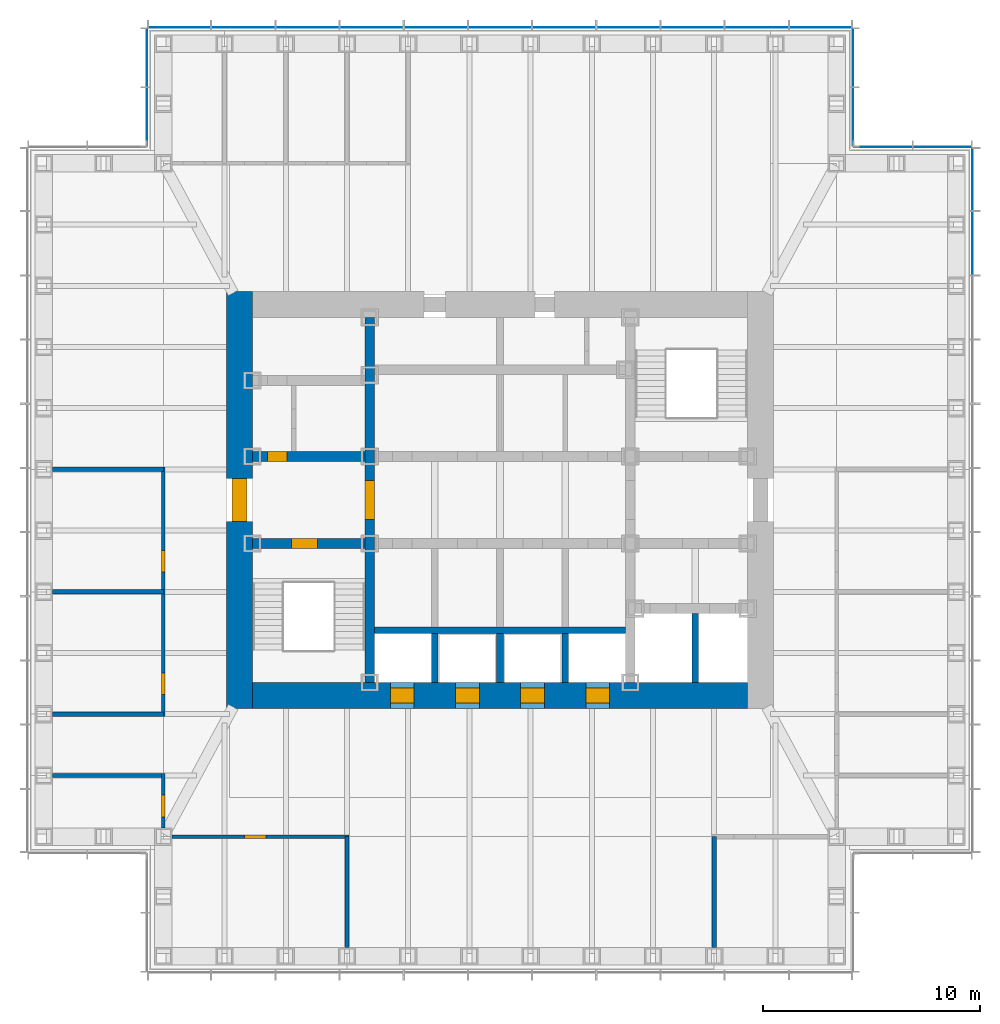
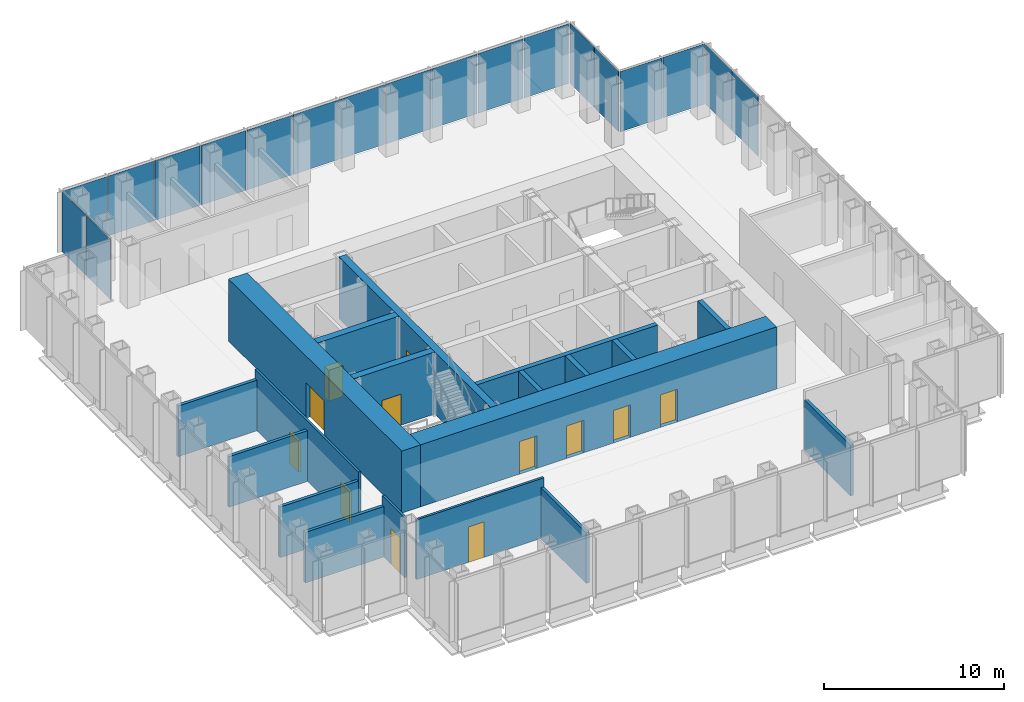
# One storey, part 8 of 16: 19 plates, 19 walls, 12 doors, 12 openings, 5 elements without a shape of their own.
"""IFC4 building model written with IfcOpenShell, lengths in metres."""

from ifc_helpers import new_model, si_unit, direction, frame, frame_2d, origin, origin_2d, place, context, subcontext, project, spatial, rectangle, extrude, material, layer, layer_set, type_object, element, fill, aggregate, save


model = new_model("IFC4")

# Units and contexts
model_context = context("Model", 3, precision=1e-05, world=origin(), true_north=direction((0.0, 1.0)))
body_context = subcontext(model_context, "Body", "Model", "MODEL_VIEW")
ifc_project = project(units=[si_unit("LENGTHUNIT", "METRE"), si_unit("AREAUNIT", "SQUARE_METRE"), si_unit("VOLUMEUNIT", "CUBIC_METRE"), si_unit("PLANEANGLEUNIT", "RADIAN"), si_unit("MASSUNIT", "GRAM", prefix="KILO")], contexts=[model_context])

# Site, building, storey
site_placement = place(None, origin())
site = spatial("IfcSite", under=ifc_project, at=site_placement, CompositionType="ELEMENT")
building_placement = place(site_placement, origin())
building = spatial("IfcBuilding", under=site, at=building_placement, Name="Daluyong Arena Tower", CompositionType="ELEMENT")
storey_placement = place(building_placement, frame((0.0, 0.0, 231.699951171875)))
storey = spatial("IfcBuildingStorey", under=building, at=storey_placement, Name="L52", CompositionType="ELEMENT", Elevation=231.699951171875)

# Curtain wall, plates
ifc_material_1 = material(Name="Bronze anodised aluminium and glass", Category="aluminium")
curtain_wall_type_1 = type_object("IfcCurtainWallType", Name="Curtain wall CW3", PredefinedType="USERDEFINED", material=ifc_material_1)
curtain_wall_1_placement = place(storey_placement, origin())
curtain_wall_1 = element("IfcCurtainWall", 1, at=curtain_wall_1_placement, inside=storey, type_object=curtain_wall_type_1, Name="curtain wall L52 E", ObjectType="UNITISED CURTAIN WALL", PredefinedType="USERDEFINED")
ifc_material_2 = material(Name="Tinted double glazed unit", Category="glass")
ifc_layer_1 = layer(ifc_material_2, 0.030029296875)
ifc_layer_set_1 = layer_set([ifc_layer_1], Name="Tinted double glazed unit")
plate_type_1 = type_object("IfcPlateType", Name="CW3 panel 30", PredefinedType="CURTAIN_PANEL", material=ifc_layer_set_1)
plate_1_placement = place(storey_placement, frame((77.75, 91.818115234375, 0.0), z_axis=(0.0, 0.0, 1.0), x_axis=(0.0, 1.0, 0.0)))
plate_1 = element("IfcPlate", 2, at=plate_1_placement, type_object=plate_type_1, Name="curtain wall L52 E panel 10", PredefinedType="CURTAIN_PANEL", context=body_context, shape_type="SweptSolid", body=[
    extrude(rectangle(XDim=2.884521484375, YDim=0.030029296875, at=origin_2d()), origin(), (0.0, 0.0, 1.0), 4.0400390625),
])
plate_2_placement = place(storey_placement, frame((77.75, 94.755126953125, 0.0), z_axis=(0.0, 0.0, 1.0), x_axis=(0.0, 1.0, 0.0)))
plate_2 = element("IfcPlate", 3, at=plate_2_placement, type_object=plate_type_1, Name="curtain wall L52 E panel 11", PredefinedType="CURTAIN_PANEL", context=body_context, shape_type="SweptSolid", body=[
    extrude(rectangle(XDim=2.849609375, YDim=0.030029296875, at=origin_2d()), origin(), (0.0, 0.0, 1.0), 4.0400390625),
])
aggregate(curtain_wall_1, [plate_1, plate_2])

curtain_wall_2_placement = place(storey_placement, origin())
curtain_wall_2 = element("IfcCurtainWall", 4, at=curtain_wall_2_placement, inside=storey, type_object=curtain_wall_type_1, Name="curtain wall L52 N", ObjectType="UNITISED CURTAIN WALL", PredefinedType="USERDEFINED")
plate_3_placement = place(storey_placement, frame((70.755126953125, 101.75, 0.0), z_axis=(0.0, 0.0, 1.0), x_axis=(-1.0, 0.0, 0.0)))
plate_3 = element("IfcPlate", 5, at=plate_3_placement, type_object=plate_type_1, Name="curtain wall L52 N panel 1", PredefinedType="CURTAIN_PANEL", context=body_context, shape_type="SweptSolid", body=[
    extrude(rectangle(XDim=2.849609375, YDim=0.030029296875, at=origin_2d()), origin(), (0.0, 0.0, 1.0), 4.0400390625),
])
plate_4_placement = place(storey_placement, frame((67.818115234375, 101.75, 0.0), z_axis=(0.0, 0.0, 1.0), x_axis=(-1.0, 0.0, 0.0)))
plate_4 = element("IfcPlate", 6, at=plate_4_placement, type_object=plate_type_1, Name="curtain wall L52 N panel 2", PredefinedType="CURTAIN_PANEL", context=body_context, shape_type="SweptSolid", body=[
    extrude(rectangle(XDim=2.884521484375, YDim=0.030029296875, at=origin_2d()), origin(), (0.0, 0.0, 1.0), 4.0400390625),
])
plate_5_placement = place(storey_placement, frame((64.863525390625, 101.75, 0.0), z_axis=(0.0, 0.0, 1.0), x_axis=(-1.0, 0.0, 0.0)))
plate_5 = element("IfcPlate", 7, at=plate_5_placement, type_object=plate_type_1, Name="curtain wall L52 N panel 3", PredefinedType="CURTAIN_PANEL", context=body_context, shape_type="SweptSolid", body=[
    extrude(rectangle(XDim=2.884521484375, YDim=0.030029296875, at=origin_2d()), origin(), (0.0, 0.0, 1.0), 4.0400390625),
])
plate_6_placement = place(storey_placement, frame((61.9091796875, 101.75, 0.0), z_axis=(0.0, 0.0, 1.0), x_axis=(-1.0, 0.0, 0.0)))
plate_6 = element("IfcPlate", 8, at=plate_6_placement, type_object=plate_type_1, Name="curtain wall L52 N panel 4", PredefinedType="CURTAIN_PANEL", context=body_context, shape_type="SweptSolid", body=[
    extrude(rectangle(XDim=2.884521484375, YDim=0.030029296875, at=origin_2d()), origin(), (0.0, 0.0, 1.0), 4.0400390625),
])
plate_7_placement = place(storey_placement, frame((58.95458984375, 101.75, 0.0), z_axis=(0.0, 0.0, 1.0), x_axis=(-1.0, 0.0, 0.0)))
plate_7 = element("IfcPlate", 9, at=plate_7_placement, type_object=plate_type_1, Name="curtain wall L52 N panel 5", PredefinedType="CURTAIN_PANEL", context=body_context, shape_type="SweptSolid", body=[
    extrude(rectangle(XDim=2.884521484375, YDim=0.030029296875, at=origin_2d()), origin(), (0.0, 0.0, 1.0), 4.0400390625),
])
plate_8_placement = place(storey_placement, frame((56.0, 101.75, 0.0), z_axis=(0.0, 0.0, 1.0), x_axis=(-1.0, 0.0, 0.0)))
plate_8 = element("IfcPlate", 10, at=plate_8_placement, type_object=plate_type_1, Name="curtain wall L52 N panel 6", PredefinedType="CURTAIN_PANEL", context=body_context, shape_type="SweptSolid", body=[
    extrude(rectangle(XDim=2.884521484375, YDim=0.030029296875, at=origin_2d()), origin(), (0.0, 0.0, 1.0), 4.0400390625),
])
plate_9_placement = place(storey_placement, frame((53.04541015625, 101.75, 0.0), z_axis=(0.0, 0.0, 1.0), x_axis=(-1.0, 0.0, 0.0)))
plate_9 = element("IfcPlate", 11, at=plate_9_placement, type_object=plate_type_1, Name="curtain wall L52 N panel 7", PredefinedType="CURTAIN_PANEL", context=body_context, shape_type="SweptSolid", body=[
    extrude(rectangle(XDim=2.884521484375, YDim=0.030029296875, at=origin_2d()), origin(), (0.0, 0.0, 1.0), 4.0400390625),
])
plate_10_placement = place(storey_placement, frame((50.0908203125, 101.75, 0.0), z_axis=(0.0, 0.0, 1.0), x_axis=(-1.0, 0.0, 0.0)))
plate_10 = element("IfcPlate", 12, at=plate_10_placement, type_object=plate_type_1, Name="curtain wall L52 N panel 8", PredefinedType="CURTAIN_PANEL", context=body_context, shape_type="SweptSolid", body=[
    extrude(rectangle(XDim=2.884521484375, YDim=0.030029296875, at=origin_2d()), origin(), (0.0, 0.0, 1.0), 4.0400390625),
])
plate_11_placement = place(storey_placement, frame((47.136474609375, 101.75, 0.0), z_axis=(0.0, 0.0, 1.0), x_axis=(-1.0, 0.0, 0.0)))
plate_11 = element("IfcPlate", 13, at=plate_11_placement, type_object=plate_type_1, Name="curtain wall L52 N panel 9", PredefinedType="CURTAIN_PANEL", context=body_context, shape_type="SweptSolid", body=[
    extrude(rectangle(XDim=2.884521484375, YDim=0.030029296875, at=origin_2d()), origin(), (0.0, 0.0, 1.0), 4.0400390625),
])
plate_12_placement = place(storey_placement, frame((44.181884765625, 101.75, 0.0), z_axis=(0.0, 0.0, 1.0), x_axis=(-1.0, 0.0, 0.0)))
plate_12 = element("IfcPlate", 14, at=plate_12_placement, type_object=plate_type_1, Name="curtain wall L52 N panel 10", PredefinedType="CURTAIN_PANEL", context=body_context, shape_type="SweptSolid", body=[
    extrude(rectangle(XDim=2.884521484375, YDim=0.030029296875, at=origin_2d()), origin(), (0.0, 0.0, 1.0), 4.0400390625),
])
plate_13_placement = place(storey_placement, frame((41.244873046875, 101.75, 0.0), z_axis=(0.0, 0.0, 1.0), x_axis=(-1.0, 0.0, 0.0)))
plate_13 = element("IfcPlate", 15, at=plate_13_placement, type_object=plate_type_1, Name="curtain wall L52 N panel 11", PredefinedType="CURTAIN_PANEL", context=body_context, shape_type="SweptSolid", body=[
    extrude(rectangle(XDim=2.849609375, YDim=0.030029296875, at=origin_2d()), origin(), (0.0, 0.0, 1.0), 4.0400390625),
])
aggregate(curtain_wall_2, [plate_3, plate_4, plate_5, plate_6, plate_7, plate_8, plate_9, plate_10, plate_11, plate_12, plate_13])

ifc_material_3 = material(Name="Bronze anodised aluminium and glass", Category="aluminium")
curtain_wall_type_2 = type_object("IfcCurtainWallType", Name="Curtain wall CW7", PredefinedType="USERDEFINED", material=ifc_material_3)
curtain_wall_3_placement = place(storey_placement, origin())
curtain_wall_3 = element("IfcCurtainWall", 16, at=curtain_wall_3_placement, inside=storey, type_object=curtain_wall_type_2, Name="curtain wall L52 NE-N", ObjectType="UNITISED CURTAIN WALL", PredefinedType="USERDEFINED")
ifc_material_4 = material(Name="Tinted double glazed unit", Category="glass")
ifc_layer_2 = layer(ifc_material_4, 0.028076171875)
ifc_layer_set_2 = layer_set([ifc_layer_2], Name="Tinted double glazed unit")
plate_type_2 = type_object("IfcPlateType", Name="CW7 panel 28", PredefinedType="CURTAIN_PANEL", material=ifc_layer_set_2)
plate_14_placement = place(storey_placement, frame((76.360107421875, 96.25, 0.0), z_axis=(0.0, 0.0, 1.0), x_axis=(-1.0, 0.0, 0.0)))
plate_14 = element("IfcPlate", 17, at=plate_14_placement, type_object=plate_type_2, Name="curtain wall L52 NE-N panel 1", PredefinedType="CURTAIN_PANEL", context=body_context, shape_type="SweptSolid", body=[
    extrude(rectangle(XDim=2.659912109375, YDim=0.028076171875, at=origin_2d()), origin(), (0.0, 0.0, 1.0), 4.080078125),
])
plate_15_placement = place(storey_placement, frame((73.639892578125, 96.25, 0.0), z_axis=(0.0, 0.0, 1.0), x_axis=(-1.0, 0.0, 0.0)))
plate_15 = element("IfcPlate", 18, at=plate_15_placement, type_object=plate_type_2, Name="curtain wall L52 NE-N panel 2", PredefinedType="CURTAIN_PANEL", context=body_context, shape_type="SweptSolid", body=[
    extrude(rectangle(XDim=2.659912109375, YDim=0.028076171875, at=origin_2d()), origin(), (0.0, 0.0, 1.0), 4.080078125),
])
aggregate(curtain_wall_3, [plate_14, plate_15])

curtain_wall_4_placement = place(storey_placement, origin())
curtain_wall_4 = element("IfcCurtainWall", 19, at=curtain_wall_4_placement, inside=storey, type_object=curtain_wall_type_2, Name="curtain wall L52 NE-E", ObjectType="UNITISED CURTAIN WALL", PredefinedType="USERDEFINED")
plate_16_placement = place(storey_placement, frame((72.25, 97.639892578125, 0.0), z_axis=(0.0, 0.0, 1.0), x_axis=(0.0, 1.0, 0.0)))
plate_16 = element("IfcPlate", 20, at=plate_16_placement, type_object=plate_type_2, Name="curtain wall L52 NE-E panel 1", PredefinedType="CURTAIN_PANEL", context=body_context, shape_type="SweptSolid", body=[
    extrude(rectangle(XDim=2.659912109375, YDim=0.028076171875, at=origin_2d()), origin(), (0.0, 0.0, 1.0), 4.080078125),
])
plate_17_placement = place(storey_placement, frame((72.25, 100.360107421875, 0.0), z_axis=(0.0, 0.0, 1.0), x_axis=(0.0, 1.0, 0.0)))
plate_17 = element("IfcPlate", 21, at=plate_17_placement, type_object=plate_type_2, Name="curtain wall L52 NE-E panel 2", PredefinedType="CURTAIN_PANEL", context=body_context, shape_type="SweptSolid", body=[
    extrude(rectangle(XDim=2.659912109375, YDim=0.028076171875, at=origin_2d()), origin(), (0.0, 0.0, 1.0), 4.080078125),
])
aggregate(curtain_wall_4, [plate_16, plate_17])

curtain_wall_5_placement = place(storey_placement, origin())
curtain_wall_5 = element("IfcCurtainWall", 22, at=curtain_wall_5_placement, inside=storey, type_object=curtain_wall_type_2, Name="curtain wall L52 NW-W", ObjectType="UNITISED CURTAIN WALL", PredefinedType="USERDEFINED")
plate_18_placement = place(storey_placement, frame((39.75, 100.360107421875, 0.0), z_axis=(0.0, 0.0, 1.0), x_axis=(0.0, -1.0, 0.0)))
plate_18 = element("IfcPlate", 23, at=plate_18_placement, type_object=plate_type_2, Name="curtain wall L52 NW-W panel 1", PredefinedType="CURTAIN_PANEL", context=body_context, shape_type="SweptSolid", body=[
    extrude(rectangle(XDim=2.659912109375, YDim=0.028076171875, at=origin_2d()), origin(), (0.0, 0.0, 1.0), 4.080078125),
])
plate_19_placement = place(storey_placement, frame((39.75, 97.639892578125, 0.0), z_axis=(0.0, 0.0, 1.0), x_axis=(0.0, -1.0, 0.0)))
plate_19 = element("IfcPlate", 24, at=plate_19_placement, type_object=plate_type_2, Name="curtain wall L52 NW-W panel 2", PredefinedType="CURTAIN_PANEL", context=body_context, shape_type="SweptSolid", body=[
    extrude(rectangle(XDim=2.659912109375, YDim=0.028076171875, at=origin_2d()), origin(), (0.0, 0.0, 1.0), 4.080078125),
])
aggregate(curtain_wall_5, [plate_18, plate_19])

# Wall, opening, door
ifc_material_5 = material(Name="Concrete fc' 45 MPa", Category="concrete")
ifc_layer_3 = layer(ifc_material_5, 0.449951171875)
ifc_layer_set_3 = layer_set([ifc_layer_3], Name="Concrete fc' 45 MPa")
wall_type_1 = type_object("IfcWallType", Name="Core inner wall 450", PredefinedType="SHEAR", material=ifc_layer_set_3)
wall_1_placement = place(storey_placement, frame((50.0, 71.60009765625, 0.0), z_axis=(0.0, 0.0, 1.0), x_axis=(0.0, 1.0, 0.0)))
wall_1 = element("IfcWall", 25, at=wall_1_placement, inside=storey, type_object=wall_type_1, Name="core inner wall at L52", PredefinedType="SHEAR", context=body_context, shape_type="SweptSolid", body=[
    extrude(rectangle(XDim=16.7998046875, YDim=0.449951171875, at=frame_2d((8.39990234375, 0.0))), origin(), (0.0, 0.0, 1.0), 4.199951171875),
])
opening_1_placement = place(wall_1_placement, frame((7.5, 0.0, 0.0)))
opening_1 = element("IfcOpeningElement", 26, at=opening_1_placement, cuts=wall_1, Name="Opening 52019", PredefinedType="OPENING", context=body_context, shape_type="SweptSolid", body=[
    extrude(rectangle(XDim=1.800048828125, YDim=2.39990234375, at=frame_2d((0.89990234375, 1.199951171875))), frame((0.0, 0.23486328125, 0.0), z_axis=(0.0, -1.0, 0.0), x_axis=(1.0, 0.0, 0.0)), (0.0, 0.0, 1.0), 0.469970703125),
])
ifc_material_6 = material(Name="Steel door, fire rated", Category="steel")
door_type_1 = type_object("IfcDoorType", Name="Lift lobby opening door 1800", OperationType="DOUBLE_DOOR_SINGLE_SWING", PredefinedType="DOOR", material=ifc_material_6)
door_1_placement = place(opening_1_placement, origin())
door_1 = element("IfcDoor", 27, at=door_1_placement, inside=storey, type_object=door_type_1, Name="lift lobby door west 52019", OperationType="DOUBLE_DOOR_SINGLE_SWING", OverallHeight=2.39990234375, OverallWidth=1.800048828125, PredefinedType="DOOR", context=body_context, shape_type="SweptSolid", body=[
    extrude(rectangle(XDim=1.800048828125, YDim=2.39990234375, at=frame_2d((0.89990234375, 1.199951171875))), frame((0.0, 0.224609375, 0.0), z_axis=(0.0, -1.0, 0.0), x_axis=(1.0, 0.0, 0.0)), (0.0, 0.0, 1.0), 0.449462890625),
])
fill(opening_1, door_1)

wall_2_placement = place(storey_placement, frame((44.60009765625, 78.0, 0.0), z_axis=(0.0, 0.0, 1.0), x_axis=(1.0, 0.0, 0.0)))
wall_2 = element("IfcWall", 28, at=wall_2_placement, inside=storey, type_object=wall_type_1, Name="core inner wall at L52", PredefinedType="SHEAR", context=body_context, shape_type="SweptSolid", body=[
    extrude(rectangle(XDim=5.1748046875, YDim=0.449951171875, at=frame_2d((2.58740234375, 0.0))), origin(), (0.0, 0.0, 1.0), 4.199951171875),
])
opening_2_placement = place(wall_2_placement, frame((1.800048828125, 0.0, 0.0)))
opening_2 = element("IfcOpeningElement", 29, at=opening_2_placement, cuts=wall_2, Name="Opening 52015", PredefinedType="OPENING", context=body_context, shape_type="SweptSolid", body=[
    extrude(rectangle(XDim=1.199951171875, YDim=2.10009765625, at=frame_2d((0.60009765625, 1.050048828125))), frame((0.0, 0.23486328125, 0.0), z_axis=(0.0, -1.0, 0.0), x_axis=(1.0, 0.0, 0.0)), (0.0, 0.0, 1.0), 0.469970703125),
])
ifc_material_7 = material(Name="Steel door, fire rated", Category="steel")
door_type_2 = type_object("IfcDoorType", Name="Stair door 1200", OperationType="SINGLE_SWING_LEFT", PredefinedType="DOOR", material=ifc_material_7)
door_2_placement = place(opening_2_placement, origin())
door_2 = element("IfcDoor", 30, at=door_2_placement, inside=storey, type_object=door_type_2, Name="stair A door 52015", OperationType="SINGLE_SWING_LEFT", OverallHeight=2.10009765625, OverallWidth=1.199951171875, PredefinedType="DOOR", context=body_context, shape_type="SweptSolid", body=[
    extrude(rectangle(XDim=1.199951171875, YDim=2.10009765625, at=frame_2d((0.60009765625, 1.050048828125))), frame((0.0, 0.224609375, 0.0), z_axis=(0.0, -1.0, 0.0), x_axis=(1.0, 0.0, 0.0)), (0.0, 0.0, 1.0), 0.449462890625),
])
fill(opening_2, door_2)

wall_3_placement = place(storey_placement, frame((44.60009765625, 82.0, 0.0), z_axis=(0.0, 0.0, 1.0), x_axis=(1.0, 0.0, 0.0)))
wall_3 = element("IfcWall", 31, at=wall_3_placement, inside=storey, type_object=wall_type_1, Name="core inner wall at L52", PredefinedType="SHEAR", context=body_context, shape_type="SweptSolid", body=[
    extrude(rectangle(XDim=5.1748046875, YDim=0.449951171875, at=frame_2d((2.58740234375, 0.0))), origin(), (0.0, 0.0, 1.0), 4.199951171875),
])
opening_3_placement = place(wall_3_placement, frame((0.699951171875, 0.0, 0.0)))
opening_3 = element("IfcOpeningElement", 32, at=opening_3_placement, cuts=wall_3, Name="Opening 52001", PredefinedType="OPENING", context=body_context, shape_type="SweptSolid", body=[
    extrude(rectangle(XDim=0.89990234375, YDim=2.10009765625, at=frame_2d((0.449951171875, 1.050048828125))), frame((0.0, 0.23486328125, 0.0), z_axis=(0.0, -1.0, 0.0), x_axis=(1.0, 0.0, 0.0)), (0.0, 0.0, 1.0), 0.469970703125),
])
ifc_material_8 = material(Name="Steel door, fire rated", Category="steel")
door_type_3 = type_object("IfcDoorType", Name="Core room door 900", OperationType="SINGLE_SWING_LEFT", PredefinedType="DOOR", material=ifc_material_8)
door_3_placement = place(opening_3_placement, origin())
door_3 = element("IfcDoor", 33, at=door_3_placement, inside=storey, type_object=door_type_3, Name="toilet lobby door 52001", OperationType="SINGLE_SWING_LEFT", OverallHeight=2.10009765625, OverallWidth=0.89990234375, PredefinedType="DOOR", context=body_context, shape_type="SweptSolid", body=[
    extrude(rectangle(XDim=0.89990234375, YDim=2.10009765625, at=frame_2d((0.449951171875, 1.050048828125))), frame((0.0, 0.224609375, 0.0), z_axis=(0.0, -1.0, 0.0), x_axis=(1.0, 0.0, 0.0)), (0.0, 0.0, 1.0), 0.449462890625),
])
fill(opening_3, door_3)

ifc_material_9 = material(Name="Concrete fc' 60 MPa", Category="concrete")
ifc_layer_4 = layer(ifc_material_9, 1.199951171875)
ifc_layer_set_4 = layer_set([ifc_layer_4], Name="Concrete fc' 60 MPa")
wall_type_2 = type_object("IfcWallType", Name="Core wall 1200", PredefinedType="SHEAR", material=ifc_layer_set_4)
wall_4_placement = place(storey_placement, frame((44.0, 70.39990234375, 0.0), z_axis=(0.0, 0.0, 1.0), x_axis=(0.0, 1.0, 0.0)))
wall_4 = element("IfcWall", 34, at=wall_4_placement, inside=storey, type_object=wall_type_2, Name="core wall at L52", PredefinedType="SHEAR", context=body_context, shape_type="SweptSolid", body=[
    extrude(rectangle(XDim=19.2001953125, YDim=1.199951171875, at=frame_2d((9.60009765625, 0.0))), origin(), (0.0, 0.0, 1.0), 4.199951171875),
])
opening_4_placement = place(wall_4_placement, frame((8.60009765625, 0.0, 0.0)))
opening_4 = element("IfcOpeningElement", 35, at=opening_4_placement, cuts=wall_4, Name="Opening 52017", PredefinedType="OPENING", context=body_context, shape_type="SweptSolid", body=[
    extrude(rectangle(XDim=2.0, YDim=2.39990234375, at=frame_2d((1.0, 1.199951171875))), frame((0.0, 0.60986328125, 0.0), z_axis=(0.0, -1.0, 0.0), x_axis=(1.0, 0.0, 0.0)), (0.0, 0.0, 1.0), 1.219970703125),
])
ifc_material_10 = material(Name="Steel door, fire rated", Category="steel")
door_type_4 = type_object("IfcDoorType", Name="Core lobby double door 2000", OperationType="DOUBLE_DOOR_SINGLE_SWING", PredefinedType="DOOR", material=ifc_material_10)
door_4_placement = place(opening_4_placement, origin())
door_4 = element("IfcDoor", 36, at=door_4_placement, inside=storey, type_object=door_type_4, Name="core lobby door west 52017", OperationType="DOUBLE_DOOR_SINGLE_SWING", OverallHeight=2.39990234375, OverallWidth=2.0, PredefinedType="DOOR", context=body_context, shape_type="SweptSolid", body=[
    extrude(rectangle(XDim=2.0, YDim=2.39990234375, at=frame_2d((1.0, 1.199951171875))), frame((0.0, 0.35009765625, 0.0), z_axis=(0.0, -1.0, 0.0), x_axis=(1.0, 0.0, 0.0)), (0.0, 0.0, 1.0), 0.699951171875),
])
fill(opening_4, door_4)

# Wall, openings, doors
wall_5_placement = place(storey_placement, frame((44.60009765625, 71.0, 0.0), z_axis=(0.0, 0.0, 1.0), x_axis=(1.0, 0.0, 0.0)))
wall_5 = element("IfcWall", 37, at=wall_5_placement, inside=storey, type_object=wall_type_2, Name="core wall at L52", PredefinedType="SHEAR", context=body_context, shape_type="SweptSolid", body=[
    extrude(rectangle(XDim=22.7998046875, YDim=1.199951171875, at=frame_2d((11.39990234375, 0.0))), origin(), (0.0, 0.0, 1.0), 4.199951171875),
])
opening_5_placement = place(wall_5_placement, frame((6.35009765625, 0.0, 0.0)))
opening_5 = element("IfcOpeningElement", 38, at=opening_5_placement, cuts=wall_5, Name="Opening 52022", PredefinedType="OPENING", context=body_context, shape_type="SweptSolid", body=[
    extrude(rectangle(XDim=1.10009765625, YDim=2.199951171875, at=frame_2d((0.550048828125, 1.10009765625))), frame((0.0, 0.60986328125, 0.0), z_axis=(0.0, -1.0, 0.0), x_axis=(1.0, 0.0, 0.0)), (0.0, 0.0, 1.0), 1.219970703125),
])
opening_6_placement = place(wall_5_placement, frame((9.35009765625, 0.0, 0.0)))
opening_6 = element("IfcOpeningElement", 39, at=opening_6_placement, cuts=wall_5, Name="Opening 52023", PredefinedType="OPENING", context=body_context, shape_type="SweptSolid", body=[
    extrude(rectangle(XDim=1.10009765625, YDim=2.199951171875, at=frame_2d((0.550048828125, 1.10009765625))), frame((0.0, 0.60986328125, 0.0), z_axis=(0.0, -1.0, 0.0), x_axis=(1.0, 0.0, 0.0)), (0.0, 0.0, 1.0), 1.219970703125),
])
opening_7_placement = place(wall_5_placement, frame((12.35009765625, 0.0, 0.0)))
opening_7 = element("IfcOpeningElement", 40, at=opening_7_placement, cuts=wall_5, Name="Opening 52024", PredefinedType="OPENING", context=body_context, shape_type="SweptSolid", body=[
    extrude(rectangle(XDim=1.10009765625, YDim=2.199951171875, at=frame_2d((0.550048828125, 1.10009765625))), frame((0.0, 0.60986328125, 0.0), z_axis=(0.0, -1.0, 0.0), x_axis=(1.0, 0.0, 0.0)), (0.0, 0.0, 1.0), 1.219970703125),
])
opening_8_placement = place(wall_5_placement, frame((15.35009765625, 0.0, 0.0)))
opening_8 = element("IfcOpeningElement", 41, at=opening_8_placement, cuts=wall_5, Name="Opening 52025", PredefinedType="OPENING", context=body_context, shape_type="SweptSolid", body=[
    extrude(rectangle(XDim=1.10009765625, YDim=2.199951171875, at=frame_2d((0.550048828125, 1.10009765625))), frame((0.0, 0.60986328125, 0.0), z_axis=(0.0, -1.0, 0.0), x_axis=(1.0, 0.0, 0.0)), (0.0, 0.0, 1.0), 1.219970703125),
])
ifc_material_11 = material(Name="Steel door, fire rated", Category="steel")
door_type_5 = type_object("IfcDoorType", Name="Lift landing door 1100", OperationType="SLIDING_TO_LEFT", PredefinedType="DOOR", material=ifc_material_11)
door_5_placement = place(opening_5_placement, origin())
door_5 = element("IfcDoor", 42, at=door_5_placement, inside=storey, type_object=door_type_5, Name="lift landing door C1 52022", OperationType="SLIDING_TO_LEFT", OverallHeight=2.199951171875, OverallWidth=1.10009765625, PredefinedType="DOOR", context=body_context, shape_type="SweptSolid", body=[
    extrude(rectangle(XDim=1.10009765625, YDim=2.199951171875, at=frame_2d((0.550048828125, 1.10009765625))), frame((0.0, 0.35009765625, 0.0), z_axis=(0.0, -1.0, 0.0), x_axis=(1.0, 0.0, 0.0)), (0.0, 0.0, 1.0), 0.699951171875),
])
fill(opening_5, door_5)
door_6_placement = place(opening_6_placement, origin())
door_6 = element("IfcDoor", 43, at=door_6_placement, inside=storey, type_object=door_type_5, Name="lift landing door C2 52023", OperationType="SLIDING_TO_LEFT", OverallHeight=2.199951171875, OverallWidth=1.10009765625, PredefinedType="DOOR", context=body_context, shape_type="SweptSolid", body=[
    extrude(rectangle(XDim=1.10009765625, YDim=2.199951171875, at=frame_2d((0.550048828125, 1.10009765625))), frame((0.0, 0.35009765625, 0.0), z_axis=(0.0, -1.0, 0.0), x_axis=(1.0, 0.0, 0.0)), (0.0, 0.0, 1.0), 0.699951171875),
])
fill(opening_6, door_6)
door_7_placement = place(opening_7_placement, origin())
door_7 = element("IfcDoor", 44, at=door_7_placement, inside=storey, type_object=door_type_5, Name="lift landing door C3 52024", OperationType="SLIDING_TO_LEFT", OverallHeight=2.199951171875, OverallWidth=1.10009765625, PredefinedType="DOOR", context=body_context, shape_type="SweptSolid", body=[
    extrude(rectangle(XDim=1.10009765625, YDim=2.199951171875, at=frame_2d((0.550048828125, 1.10009765625))), frame((0.0, 0.35009765625, 0.0), z_axis=(0.0, -1.0, 0.0), x_axis=(1.0, 0.0, 0.0)), (0.0, 0.0, 1.0), 0.699951171875),
])
fill(opening_7, door_7)
door_8_placement = place(opening_8_placement, origin())
door_8 = element("IfcDoor", 45, at=door_8_placement, inside=storey, type_object=door_type_5, Name="lift landing door C4 52025", OperationType="SLIDING_TO_LEFT", OverallHeight=2.199951171875, OverallWidth=1.10009765625, PredefinedType="DOOR", context=body_context, shape_type="SweptSolid", body=[
    extrude(rectangle(XDim=1.10009765625, YDim=2.199951171875, at=frame_2d((0.550048828125, 1.10009765625))), frame((0.0, 0.35009765625, 0.0), z_axis=(0.0, -1.0, 0.0), x_axis=(1.0, 0.0, 0.0)), (0.0, 0.0, 1.0), 0.699951171875),
])
fill(opening_8, door_8)

# Wall, opening, door
ifc_material_12 = material(Name="Glazed aluminium partition", Category="aluminium")
ifc_layer_5 = layer(ifc_material_12, 0.14990234375)
ifc_layer_set_5 = layer_set([ifc_layer_5], Name="Glazed aluminium partition")
wall_type_3 = type_object("IfcWallType", Name="Glazed partition 150", PredefinedType="PARTITIONING", material=ifc_layer_set_5)
wall_6_placement = place(storey_placement, frame((40.89990234375, 64.5, 0.0), z_axis=(0.0, 0.0, 1.0), x_axis=(1.0, 0.0, 0.0)))
wall_6 = element("IfcWall", 46, at=wall_6_placement, inside=storey, type_object=wall_type_3, Name="glazed partition at L52", PredefinedType="PARTITIONING", context=body_context, shape_type="SweptSolid", body=[
    extrude(rectangle(XDim=8.154541015625, YDim=0.14990234375, at=frame_2d((4.0771484375, 0.0))), origin(), (0.0, 0.0, 1.0), 4.0400390625),
])
opening_9_placement = place(wall_6_placement, frame((3.327392578125, 0.0, 0.0)))
opening_9 = element("IfcOpeningElement", 47, at=opening_9_placement, cuts=wall_6, Name="Opening 52028", PredefinedType="OPENING", context=body_context, shape_type="SweptSolid", body=[
    extrude(rectangle(XDim=1.0, YDim=2.39990234375, at=frame_2d((0.5, 1.199951171875))), frame((0.0, 0.0849609375, 0.0), z_axis=(0.0, -1.0, 0.0), x_axis=(1.0, 0.0, 0.0)), (0.0, 0.0, 1.0), 0.169921875),
])
ifc_material_13 = material(Name="Glazed aluminium door", Category="aluminium")
door_type_6 = type_object("IfcDoorType", Name="Meeting room glazed door 1000", OperationType="SINGLE_SWING_RIGHT", PredefinedType="DOOR", material=ifc_material_13)
door_9_placement = place(opening_9_placement, origin())
door_9 = element("IfcDoor", 48, at=door_9_placement, inside=storey, type_object=door_type_6, Name="meeting room door 52028", OperationType="SINGLE_SWING_RIGHT", OverallHeight=2.39990234375, OverallWidth=1.0, PredefinedType="DOOR", context=body_context, shape_type="SweptSolid", body=[
    extrude(rectangle(XDim=1.0, YDim=2.39990234375, at=frame_2d((0.5, 1.199951171875))), frame((0.0, 0.07470703125, 0.0), z_axis=(0.0, -1.0, 0.0), x_axis=(1.0, 0.0, 0.0)), (0.0, 0.0, 1.0), 0.1494140625),
])
fill(opening_9, door_9)

wall_7_placement = place(storey_placement, frame((40.5, 64.89990234375, 0.0), z_axis=(0.0, 0.0, 1.0), x_axis=(0.0, 1.0, 0.0)))
wall_7 = element("IfcWall", 49, at=wall_7_placement, inside=storey, type_object=wall_type_3, Name="glazed partition at L52", PredefinedType="PARTITIONING", context=body_context, shape_type="SweptSolid", body=[
    extrude(rectangle(XDim=2.518310546875, YDim=0.14990234375, at=frame_2d((1.25927734375, 0.0))), origin(), (0.0, 0.0, 1.0), 4.0400390625),
])
opening_10_placement = place(wall_7_placement, frame((0.509033203125, 0.0, 0.0)))
opening_10 = element("IfcOpeningElement", 50, at=opening_10_placement, cuts=wall_7, Name="Opening 52038", PredefinedType="OPENING", context=body_context, shape_type="SweptSolid", body=[
    extrude(rectangle(XDim=1.0, YDim=2.39990234375, at=frame_2d((0.5, 1.199951171875))), frame((0.0, 0.0849609375, 0.0), z_axis=(0.0, -1.0, 0.0), x_axis=(1.0, 0.0, 0.0)), (0.0, 0.0, 1.0), 0.169921875),
])
door_10_placement = place(opening_10_placement, origin())
door_10 = element("IfcDoor", 51, at=door_10_placement, inside=storey, type_object=door_type_6, Name="focus room door 52038", OperationType="SINGLE_SWING_RIGHT", OverallHeight=2.39990234375, OverallWidth=1.0, PredefinedType="DOOR", context=body_context, shape_type="SweptSolid", body=[
    extrude(rectangle(XDim=1.0, YDim=2.39990234375, at=frame_2d((0.5, 1.199951171875))), frame((0.0, 0.07470703125, 0.0), z_axis=(0.0, -1.0, 0.0), x_axis=(1.0, 0.0, 0.0)), (0.0, 0.0, 1.0), 0.1494140625),
])
fill(opening_10, door_10)

# Wall, openings, doors
wall_8_placement = place(storey_placement, frame((40.5, 70.036376953125, 0.0), z_axis=(0.0, 0.0, 1.0), x_axis=(0.0, 1.0, 0.0)))
wall_8 = element("IfcWall", 52, at=wall_8_placement, inside=storey, type_object=wall_type_3, Name="glazed partition at L52", PredefinedType="PARTITIONING", context=body_context, shape_type="SweptSolid", body=[
    extrude(rectangle(XDim=11.47265625, YDim=0.14990234375, at=frame_2d((5.736328125, 0.0))), origin(), (0.0, 0.0, 1.0), 4.0400390625),
])
opening_11_placement = place(wall_8_placement, frame((1.009033203125, 0.0, 0.0)))
opening_11 = element("IfcOpeningElement", 53, at=opening_11_placement, cuts=wall_8, Name="Opening 52039", PredefinedType="OPENING", context=body_context, shape_type="SweptSolid", body=[
    extrude(rectangle(XDim=1.0, YDim=2.10009765625, at=frame_2d((0.5, 1.050048828125))), frame((0.0, 0.0849609375, 0.0), z_axis=(0.0, -1.0, 0.0), x_axis=(1.0, 0.0, 0.0)), (0.0, 0.0, 1.0), 0.169921875),
])
opening_12_placement = place(wall_8_placement, frame((6.6455078125, 0.0, 0.0)))
opening_12 = element("IfcOpeningElement", 54, at=opening_12_placement, cuts=wall_8, Name="Opening 52040", PredefinedType="OPENING", context=body_context, shape_type="SweptSolid", body=[
    extrude(rectangle(XDim=1.0, YDim=2.10009765625, at=frame_2d((0.5, 1.050048828125))), frame((0.0, 0.0849609375, 0.0), z_axis=(0.0, -1.0, 0.0), x_axis=(1.0, 0.0, 0.0)), (0.0, 0.0, 1.0), 0.169921875),
])
ifc_material_14 = material(Name="Timber door", Category="wood")
door_type_7 = type_object("IfcDoorType", Name="Room door 1000", OperationType="SINGLE_SWING_LEFT", PredefinedType="DOOR", material=ifc_material_14)
door_11_placement = place(opening_11_placement, origin())
door_11 = element("IfcDoor", 55, at=door_11_placement, inside=storey, type_object=door_type_7, Name="executive office door 52039", OperationType="SINGLE_SWING_LEFT", OverallHeight=2.10009765625, OverallWidth=1.0, PredefinedType="DOOR", context=body_context, shape_type="SweptSolid", body=[
    extrude(rectangle(XDim=1.0, YDim=2.10009765625, at=frame_2d((0.5, 1.050048828125))), frame((0.0, 0.07470703125, 0.0), z_axis=(0.0, -1.0, 0.0), x_axis=(1.0, 0.0, 0.0)), (0.0, 0.0, 1.0), 0.1494140625),
])
fill(opening_11, door_11)
door_12_placement = place(opening_12_placement, origin())
door_12 = element("IfcDoor", 56, at=door_12_placement, inside=storey, type_object=door_type_7, Name="executive office door 52040", OperationType="SINGLE_SWING_LEFT", OverallHeight=2.10009765625, OverallWidth=1.0, PredefinedType="DOOR", context=body_context, shape_type="SweptSolid", body=[
    extrude(rectangle(XDim=1.0, YDim=2.10009765625, at=frame_2d((0.5, 1.050048828125))), frame((0.0, 0.07470703125, 0.0), z_axis=(0.0, -1.0, 0.0), x_axis=(1.0, 0.0, 0.0)), (0.0, 0.0, 1.0), 0.1494140625),
])
fill(opening_12, door_12)

# Walls
ifc_material_15 = material(Name="Concrete fc' 45 MPa", Category="concrete")
ifc_layer_6 = layer(ifc_material_15, 0.300048828125)
ifc_layer_set_6 = layer_set([ifc_layer_6], Name="Concrete fc' 45 MPa")
wall_type_4 = type_object("IfcWallType", Name="Lift shaft wall 300", PredefinedType="SHEAR", material=ifc_layer_set_6)
wall_9_placement = place(storey_placement, frame((50.22509765625, 74.0, 0.0), z_axis=(0.0, 0.0, 1.0), x_axis=(1.0, 0.0, 0.0)))
element("IfcWall", 57, at=wall_9_placement, inside=storey, type_object=wall_type_4, Name="lift shaft wall at L52", PredefinedType="SHEAR", context=body_context, shape_type="SweptSolid", body=[
    extrude(rectangle(XDim=11.5498046875, YDim=0.300048828125, at=frame_2d((5.77490234375, 0.0))), origin(), (0.0, 0.0, 1.0), 4.199951171875),
])
for number, where, z_axis, x_axis, name in (
    (58, (53.0, 71.60009765625, 0.0), (0.0, 0.0, 1.0), (0.0, 1.0, 0.0), "lift shaft wall at L52"),
    (59, (56.0, 71.60009765625, 0.0), (0.0, 0.0, 1.0), (0.0, 1.0, 0.0), "lift shaft wall at L52"),
    (60, (59.0, 71.60009765625, 0.0), (0.0, 0.0, 1.0), (0.0, 1.0, 0.0), "lift shaft wall at L52"),
):
    element("IfcWall", number, at=place(storey_placement, frame(where, z_axis=z_axis, x_axis=x_axis)), inside=storey, type_object=wall_type_4, Name=name, PredefinedType="SHEAR", context=body_context, shape_type="SweptSolid", body=[
        extrude(rectangle(XDim=2.25, YDim=0.300048828125, at=frame_2d((1.125, 0.0))), origin(), (0.0, 0.0, 1.0), 4.199951171875),
    ])
wall_10_placement = place(storey_placement, frame((65.0, 71.60009765625, 0.0), z_axis=(0.0, 0.0, 1.0), x_axis=(0.0, 1.0, 0.0)))
element("IfcWall", 61, at=wall_10_placement, inside=storey, type_object=wall_type_4, Name="lift shaft wall at L52", PredefinedType="SHEAR", context=body_context, shape_type="SweptSolid", body=[
    extrude(rectangle(XDim=3.1748046875, YDim=0.300048828125, at=frame_2d((1.58740234375, 0.0))), origin(), (0.0, 0.0, 1.0), 4.199951171875),
])
ifc_material_16 = material(Name="Concrete block partition", Category="concrete")
ifc_layer_7 = layer(ifc_material_16, 0.199951171875)
ifc_layer_set_7 = layer_set([ifc_layer_7], Name="Concrete block partition")
wall_type_5 = type_object("IfcWallType", Name="Partition 200", PredefinedType="PARTITIONING", material=ifc_layer_set_7)
for number, where, z_axis, x_axis, name in (
    (62, (48.95458984375, 59.39990234375, 0.0), (0.0, 0.0, 1.0), (0.0, 1.0, 0.0), "partition at L52"),
    (63, (65.863525390625, 59.39990234375, 0.0), (0.0, 0.0, 1.0), (0.0, 1.0, 0.0), "partition at L52"),
    (64, (35.39990234375, 67.318115234375, 0.0), (0.0, 0.0, 1.0), (1.0, 0.0, 0.0), "partition at L52"),
    (65, (35.39990234375, 70.136474609375, 0.0), (0.0, 0.0, 1.0), (1.0, 0.0, 0.0), "partition at L52"),
    (66, (35.39990234375, 75.772705078125, 0.0), (0.0, 0.0, 1.0), (1.0, 0.0, 0.0), "partition at L52"),
    (67, (35.39990234375, 81.4091796875, 0.0), (0.0, 0.0, 1.0), (1.0, 0.0, 0.0), "partition at L52"),
):
    element("IfcWall", number, at=place(storey_placement, frame(where, z_axis=z_axis, x_axis=x_axis)), inside=storey, type_object=wall_type_5, Name=name, PredefinedType="PARTITIONING", context=body_context, shape_type="SweptSolid", body=[
        extrude(rectangle(XDim=5.10009765625, YDim=0.199951171875, at=frame_2d((2.550048828125, 0.0))), origin(), (0.0, 0.0, 1.0), 3.427978515625),
    ])

save(model, "model.ifc")
